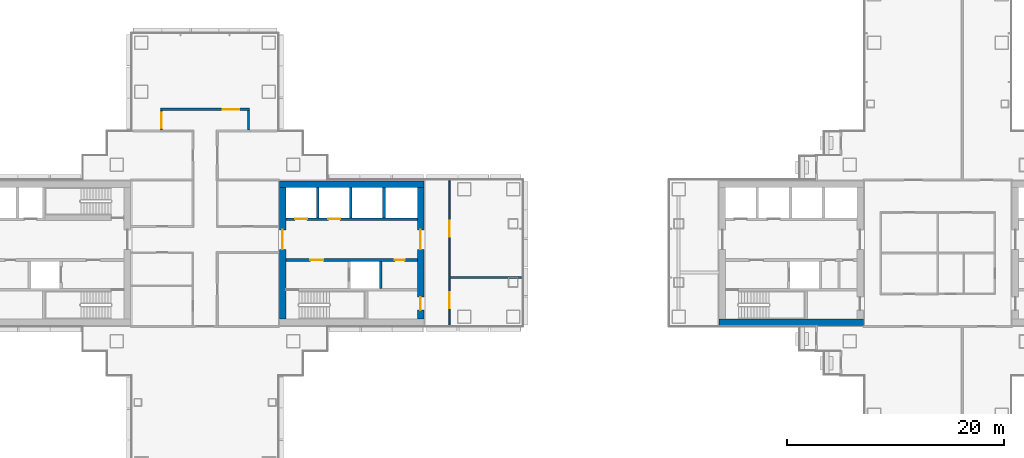
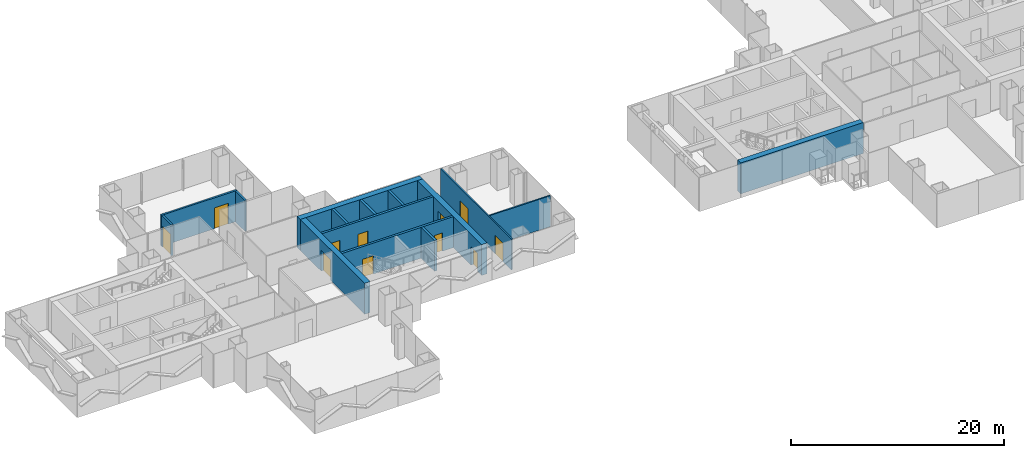
# One storey, part 12 of 19: 15 walls, 11 doors, 11 openings.
"""IFC4 building model written with IfcOpenShell, lengths in metres."""

from ifc_helpers import new_model, si_unit, direction, frame, frame_2d, origin, place, context, subcontext, project, spatial, rectangle, extrude, material, layer, layer_set, type_object, element, fill, save


model = new_model("IFC4")

# Units and contexts
model_context = context("Model", 3, precision=1e-05, world=origin(), true_north=direction((0.0, 1.0)))
body_context = subcontext(model_context, "Body", "Model", "MODEL_VIEW")
ifc_project = project(units=[si_unit("LENGTHUNIT", "METRE"), si_unit("AREAUNIT", "SQUARE_METRE"), si_unit("VOLUMEUNIT", "CUBIC_METRE"), si_unit("PLANEANGLEUNIT", "RADIAN"), si_unit("MASSUNIT", "GRAM", prefix="KILO")], contexts=[model_context])

# Site, building, storey
site_placement = place(None, origin())
site = spatial("IfcSite", under=ifc_project, at=site_placement, CompositionType="ELEMENT")
building_placement = place(site_placement, origin())
building = spatial("IfcBuilding", under=site, at=building_placement, Name="Shamsa Quay Exchange Towers", CompositionType="ELEMENT")
storey_placement = place(building_placement, frame((0.0, 0.0, 93.60009765625)))
storey = spatial("IfcBuildingStorey", under=building, at=storey_placement, Name="L21", CompositionType="ELEMENT", Elevation=93.60009765625)

# Wall, opening, door
ifc_material_1 = material(Name="Double-leaf gypsum board partition with acoustic insulation")
ifc_layer_1 = layer(ifc_material_1, 0.199951171875)
ifc_layer_set_1 = layer_set([ifc_layer_1], Name="Acoustic partition 200 mm EI 60")
wall_type_1 = type_object("IfcWallType", Name="Acoustic partition 200 mm EI 60", PredefinedType="PARTITIONING", material=ifc_layer_set_1)
wall_1_placement = place(storey_placement, frame((-37.75, 13.14990234375, 0.0), z_axis=(0.0, 0.0, 1.0), x_axis=(0.0, -1.0, 0.0)))
wall_1 = element("IfcWall", 1, at=wall_1_placement, inside=storey, type_object=wall_type_1, Name="Partition T1-R09-W13", PredefinedType="PARTITIONING", context=body_context, shape_type="SweptSolid", body=[
    extrude(rectangle(XDim=1.7998046875, YDim=0.199951171875, at=frame_2d((0.89990234375, 0.0))), origin(), (0.0, 0.0, 1.0), 3.5498046875),
])
opening_1_placement = place(wall_1_placement, frame((0.14990234375, 0.0, 0.0)))
opening_1 = element("IfcOpeningElement", 2, at=opening_1_placement, cuts=wall_1, Name="Opening T1-R09-D02", PredefinedType="OPENING", context=body_context, shape_type="SweptSolid", body=[
    extrude(rectangle(XDim=1.5, YDim=2.39990234375, at=frame_2d((0.75, 1.199951171875))), frame((0.0, 0.10986328125, 0.0), z_axis=(0.0, -1.0, 0.0), x_axis=(1.0, 0.0, 0.0)), (0.0, 0.0, 1.0), 0.219970703125),
])
ifc_material_2 = material(Name="Timber door leaf in a metal frame", Category="wood")
door_type_1 = type_object("IfcDoorType", Name="Door 1500x2400 FD30S pair", OperationType="NOTDEFINED", PredefinedType="DOOR", material=ifc_material_2)
door_1_placement = place(opening_1_placement, origin())
door_1 = element("IfcDoor", 3, at=door_1_placement, inside=storey, type_object=door_type_1, Name="Door T1-R09-D02", OperationType="DOUBLE_DOOR_SINGLE_SWING", OverallHeight=2.39990234375, OverallWidth=1.5, PredefinedType="DOOR", context=body_context, shape_type="SweptSolid", body=[
    extrude(rectangle(XDim=1.5, YDim=2.39990234375, at=frame_2d((0.75, 1.199951171875))), frame((0.0, 0.02490234375, 0.0), z_axis=(0.0, -1.0, 0.0), x_axis=(1.0, 0.0, 0.0)), (0.0, 0.0, 1.0), 0.050048828125),
])
fill(opening_1, door_1)

wall_2_placement = place(storey_placement, frame((-29.64990234375, 13.25, 0.0), z_axis=(0.0, 0.0, 1.0), x_axis=(-1.0, 0.0, 0.0)))
wall_2 = element("IfcWall", 4, at=wall_2_placement, inside=storey, type_object=wall_type_1, Name="Partition T1-R09-W14", PredefinedType="PARTITIONING", context=body_context, shape_type="SweptSolid", body=[
    extrude(rectangle(XDim=8.2001953125, YDim=0.199951171875, at=frame_2d((4.10009765625, 0.0))), origin(), (0.0, 0.0, 1.0), 3.5498046875),
])
opening_2_placement = place(wall_2_placement, frame((0.949951171875, 0.0, 0.0)))
opening_2 = element("IfcOpeningElement", 5, at=opening_2_placement, cuts=wall_2, Name="Opening T1-R09-D10", PredefinedType="OPENING", context=body_context, shape_type="SweptSolid", body=[
    extrude(rectangle(XDim=1.5, YDim=2.39990234375, at=frame_2d((0.75, 1.199951171875))), frame((0.0, 0.10986328125, 0.0), z_axis=(0.0, -1.0, 0.0), x_axis=(1.0, 0.0, 0.0)), (0.0, 0.0, 1.0), 0.219970703125),
])
door_2_placement = place(opening_2_placement, origin())
door_2 = element("IfcDoor", 6, at=door_2_placement, inside=storey, type_object=door_type_1, Name="Door T1-R09-D10", OperationType="DOUBLE_DOOR_SINGLE_SWING", OverallHeight=2.39990234375, OverallWidth=1.5, PredefinedType="DOOR", context=body_context, shape_type="SweptSolid", body=[
    extrude(rectangle(XDim=1.5, YDim=2.39990234375, at=frame_2d((0.75, 1.199951171875))), frame((0.0, 0.02490234375, 0.0), z_axis=(0.0, -1.0, 0.0), x_axis=(1.0, 0.0, 0.0)), (0.0, 0.0, 1.0), 0.050048828125),
])
fill(opening_2, door_2)

# Walls
wall_3_placement = place(storey_placement, frame((-29.75, 11.35009765625, 0.0), z_axis=(0.0, 0.0, 1.0), x_axis=(0.0, 1.0, 0.0)))
element("IfcWall", 7, at=wall_3_placement, inside=storey, type_object=wall_type_1, Name="Partition T1-R09-W15", PredefinedType="PARTITIONING", context=body_context, shape_type="SweptSolid", body=[
    extrude(rectangle(XDim=1.7998046875, YDim=0.199951171875, at=frame_2d((0.89990234375, 0.0))), origin(), (0.0, 0.0, 1.0), 3.5498046875),
])
ifc_material_3 = material(Name="Concrete C70/85", Category="concrete")
ifc_layer_2 = layer(ifc_material_3, 0.60009765625)
ifc_layer_set_2 = layer_set([ifc_layer_2], Name="CORE WALL 600 C70/85")
wall_type_2 = type_object("IfcWallType", Name="CORE WALL 600 C70/85", PredefinedType="SHEAR", material=ifc_layer_set_2)
wall_4_placement = place(storey_placement, frame((-26.89990234375, 6.35009765625, 0.0)))
element("IfcWall", 8, at=wall_4_placement, inside=storey, type_object=wall_type_2, Name="Core wall T1A-R09-PN", PredefinedType="SHEAR", context=body_context, shape_type="SweptSolid", body=[
    extrude(rectangle(XDim=13.2998046875, YDim=0.60009765625, at=frame_2d((6.64990234375, 0.0))), origin(), (0.0, 0.0, 1.0), 3.5498046875),
])

# Wall, opening, door
wall_5_placement = place(storey_placement, frame((-26.60009765625, 6.050048828125, 0.0), z_axis=(0.0, 0.0, 1.0), x_axis=(0.0, -1.0, 0.0)))
wall_5 = element("IfcWall", 9, at=wall_5_placement, inside=storey, type_object=wall_type_2, Name="Core wall T1A-R09-PF", PredefinedType="SHEAR", context=body_context, shape_type="SweptSolid", body=[
    extrude(rectangle(XDim=12.10009765625, YDim=0.60009765625, at=frame_2d((6.050048828125, 0.0))), origin(), (0.0, 0.0, 1.0), 3.5498046875),
])
opening_3_placement = place(wall_5_placement, frame((3.89990234375, 0.0, 0.0)))
opening_3 = element("IfcOpeningElement", 10, at=opening_3_placement, cuts=wall_5, Name="Opening T1A-R09-LBD01", PredefinedType="OPENING", context=body_context, shape_type="SweptSolid", body=[
    extrude(rectangle(XDim=1.800048828125, YDim=2.39990234375, at=frame_2d((0.89990234375, 1.199951171875))), frame((0.0, 0.31005859375, 0.0), z_axis=(0.0, -1.0, 0.0), x_axis=(1.0, 0.0, 0.0)), (0.0, 0.0, 1.0), 0.6201171875),
])
ifc_material_4 = material(Name="Steel, fire rated", Category="steel")
door_type_2 = type_object("IfcDoorType", Name="LIFT LOBBY DOOR PAIR 1800", OperationType="DOUBLE_DOOR_SINGLE_SWING", PredefinedType="DOOR", material=ifc_material_4)
door_3_placement = place(opening_3_placement, origin())
door_3 = element("IfcDoor", 11, at=door_3_placement, inside=storey, type_object=door_type_2, Name="T1A-R09-LBD01", OperationType="DOUBLE_DOOR_SINGLE_SWING", OverallHeight=2.39990234375, OverallWidth=1.800048828125, PredefinedType="DOOR", context=body_context, shape_type="SweptSolid", body=[
    extrude(rectangle(XDim=1.800048828125, YDim=2.39990234375, at=frame_2d((0.89990234375, 1.199951171875))), frame((0.0, 0.02490234375, 0.0), z_axis=(0.0, -1.0, 0.0), x_axis=(1.0, 0.0, 0.0)), (0.0, 0.0, 1.0), 0.050048828125),
])
fill(opening_3, door_3)

# Wall, openings, doors
wall_6_placement = place(storey_placement, frame((-13.89990234375, 6.050048828125, 0.0), z_axis=(0.0, 0.0, 1.0), x_axis=(0.0, -1.0, 0.0)))
wall_6 = element("IfcWall", 12, at=wall_6_placement, inside=storey, type_object=wall_type_2, Name="Core wall T1A-R09-PB", PredefinedType="SHEAR", context=body_context, shape_type="SweptSolid", body=[
    extrude(rectangle(XDim=12.10009765625, YDim=0.60009765625, at=frame_2d((6.050048828125, 0.0))), origin(), (0.0, 0.0, 1.0), 3.5498046875),
])
opening_4_placement = place(wall_6_placement, frame((10.10009765625, 0.0, 0.0)))
opening_4 = element("IfcOpeningElement", 13, at=opening_4_placement, cuts=wall_6, Name="Opening T1A-R09-RD02", PredefinedType="OPENING", context=body_context, shape_type="SweptSolid", body=[
    extrude(rectangle(XDim=1.199951171875, YDim=2.10009765625, at=frame_2d((0.60009765625, 1.050048828125))), frame((0.0, 0.31005859375, 0.0), z_axis=(0.0, -1.0, 0.0), x_axis=(1.0, 0.0, 0.0)), (0.0, 0.0, 1.0), 0.6201171875),
])
opening_5_placement = place(wall_6_placement, frame((3.89990234375, 0.0, 0.0)))
opening_5 = element("IfcOpeningElement", 14, at=opening_5_placement, cuts=wall_6, Name="Opening T1A-R09-LBD03", PredefinedType="OPENING", context=body_context, shape_type="SweptSolid", body=[
    extrude(rectangle(XDim=1.800048828125, YDim=2.39990234375, at=frame_2d((0.89990234375, 1.199951171875))), frame((0.0, 0.31005859375, 0.0), z_axis=(0.0, -1.0, 0.0), x_axis=(1.0, 0.0, 0.0)), (0.0, 0.0, 1.0), 0.6201171875),
])
door_4_placement = place(opening_5_placement, origin())
door_4 = element("IfcDoor", 15, at=door_4_placement, inside=storey, type_object=door_type_2, Name="T1A-R09-LBD03", OperationType="DOUBLE_DOOR_SINGLE_SWING", OverallHeight=2.39990234375, OverallWidth=1.800048828125, PredefinedType="DOOR", context=body_context, shape_type="SweptSolid", body=[
    extrude(rectangle(XDim=1.800048828125, YDim=2.39990234375, at=frame_2d((0.89990234375, 1.199951171875))), frame((0.0, 0.02490234375, 0.0), z_axis=(0.0, -1.0, 0.0), x_axis=(1.0, 0.0, 0.0)), (0.0, 0.0, 1.0), 0.050048828125),
])
fill(opening_5, door_4)
door_type_3 = type_object("IfcDoorType", Name="RISER ACCESS DOOR 1200", OperationType="SINGLE_SWING_LEFT", PredefinedType="DOOR", material=ifc_material_4)
door_5_placement = place(opening_4_placement, origin())
door_5 = element("IfcDoor", 16, at=door_5_placement, inside=storey, type_object=door_type_3, Name="T1A-R09-RD02", OperationType="SINGLE_SWING_RIGHT", OverallHeight=2.10009765625, OverallWidth=1.199951171875, PredefinedType="DOOR", context=body_context, shape_type="SweptSolid", body=[
    extrude(rectangle(XDim=1.199951171875, YDim=2.10009765625, at=frame_2d((0.60009765625, 1.050048828125))), frame((0.0, 0.02490234375, 0.0), z_axis=(0.0, -1.0, 0.0), x_axis=(1.0, 0.0, 0.0)), (0.0, 0.0, 1.0), 0.050048828125),
])
fill(opening_4, door_5)

# Wall
wall_7_placement = place(storey_placement, frame((13.60009765625, -6.35009765625, 0.0)))
element("IfcWall", 17, at=wall_7_placement, inside=storey, type_object=wall_type_2, Name="Core wall T2A-R09-PS", PredefinedType="SHEAR", context=body_context, shape_type="SweptSolid", body=[
    extrude(rectangle(XDim=13.2998046875, YDim=0.60009765625, at=frame_2d((6.64990234375, 0.0))), origin(), (0.0, 0.0, 1.0), 3.5498046875),
])

# Wall, openings, doors
ifc_material_5 = material(Name="Gypsum board partition on metal studs")
ifc_layer_3 = layer(ifc_material_5, 0.14990234375)
ifc_layer_set_3 = layer_set([ifc_layer_3], Name="Partition 150 mm EI 60")
wall_type_3 = type_object("IfcWallType", Name="Partition 150 mm EI 60", PredefinedType="PARTITIONING", material=ifc_layer_set_3)
wall_8_placement = place(storey_placement, frame((-11.25, 6.655029296875, 0.0), z_axis=(0.0, 0.0, 1.0), x_axis=(0.0, -1.0, 0.0)))
wall_8 = element("IfcWall", 18, at=wall_8_placement, inside=storey, type_object=wall_type_3, Name="Partition T1-R09-W17", PredefinedType="PARTITIONING", context=body_context, shape_type="SweptSolid", body=[
    extrude(rectangle(XDim=13.31005859375, YDim=0.14990234375, at=frame_2d((6.655029296875, 0.0))), origin(), (0.0, 0.0, 1.0), 3.5498046875),
])
opening_6_placement = place(wall_8_placement, frame((3.655029296875, 0.0, 0.0)))
opening_6 = element("IfcOpeningElement", 19, at=opening_6_placement, cuts=wall_8, Name="Opening T1-R09-D11", PredefinedType="OPENING", context=body_context, shape_type="SweptSolid", body=[
    extrude(rectangle(XDim=1.5, YDim=2.10009765625, at=frame_2d((0.75, 1.050048828125))), frame((0.0, 0.0849609375, 0.0), z_axis=(0.0, -1.0, 0.0), x_axis=(1.0, 0.0, 0.0)), (0.0, 0.0, 1.0), 0.169921875),
])
opening_7_placement = place(wall_8_placement, frame((10.2548828125, 0.0, 0.0)))
opening_7 = element("IfcOpeningElement", 20, at=opening_7_placement, cuts=wall_8, Name="Opening T1-R09-D12", PredefinedType="OPENING", context=body_context, shape_type="SweptSolid", body=[
    extrude(rectangle(XDim=1.5, YDim=2.10009765625, at=frame_2d((0.75, 1.050048828125))), frame((0.0, 0.0849609375, 0.0), z_axis=(0.0, -1.0, 0.0), x_axis=(1.0, 0.0, 0.0)), (0.0, 0.0, 1.0), 0.169921875),
])
door_type_4 = type_object("IfcDoorType", Name="Door 1500x2100 FD30S pair", OperationType="NOTDEFINED", PredefinedType="DOOR", material=ifc_material_2)
door_6_placement = place(opening_6_placement, origin())
door_6 = element("IfcDoor", 21, at=door_6_placement, inside=storey, type_object=door_type_4, Name="Door T1-R09-D11", OperationType="DOUBLE_DOOR_SINGLE_SWING", OverallHeight=2.10009765625, OverallWidth=1.5, PredefinedType="DOOR", context=body_context, shape_type="SweptSolid", body=[
    extrude(rectangle(XDim=1.5, YDim=2.10009765625, at=frame_2d((0.75, 1.050048828125))), frame((0.0, 0.02490234375, 0.0), z_axis=(0.0, -1.0, 0.0), x_axis=(1.0, 0.0, 0.0)), (0.0, 0.0, 1.0), 0.050048828125),
])
fill(opening_6, door_6)
door_7_placement = place(opening_7_placement, origin())
door_7 = element("IfcDoor", 22, at=door_7_placement, inside=storey, type_object=door_type_4, Name="Door T1-R09-D12", OperationType="DOUBLE_DOOR_SINGLE_SWING", OverallHeight=2.10009765625, OverallWidth=1.5, PredefinedType="DOOR", context=body_context, shape_type="SweptSolid", body=[
    extrude(rectangle(XDim=1.5, YDim=2.10009765625, at=frame_2d((0.75, 1.050048828125))), frame((0.0, 0.02490234375, 0.0), z_axis=(0.0, -1.0, 0.0), x_axis=(1.0, 0.0, 0.0)), (0.0, 0.0, 1.0), 0.050048828125),
])
fill(opening_7, door_7)

# Wall
wall_9_placement = place(storey_placement, frame((-4.594970703125, -2.25, 0.0), z_axis=(0.0, 0.0, 1.0), x_axis=(-1.0, 0.0, 0.0)))
element("IfcWall", 23, at=wall_9_placement, inside=storey, type_object=wall_type_3, Name="Partition T1-R09-W25", PredefinedType="PARTITIONING", context=body_context, shape_type="SweptSolid", body=[
    extrude(rectangle(XDim=6.580078125, YDim=0.14990234375, at=frame_2d((3.2900390625, 0.0))), origin(), (0.0, 0.0, 1.0), 3.5498046875),
])

# Wall, openings, doors
ifc_material_6 = material(Name="Concrete C50/60", Category="concrete")
ifc_layer_4 = layer(ifc_material_6, 0.25)
ifc_layer_set_4 = layer_set([ifc_layer_4], Name="SHAFT WALL 250 C50/60")
wall_type_4 = type_object("IfcWallType", Name="SHAFT WALL 250 C50/60", PredefinedType="SHEAR", material=ifc_layer_set_4)
wall_10_placement = place(storey_placement, frame((-14.199951171875, -0.625, 0.0), z_axis=(0.0, 0.0, 1.0), x_axis=(-1.0, 0.0, 0.0)))
wall_10 = element("IfcWall", 24, at=wall_10_placement, inside=storey, type_object=wall_type_4, Name="Shaft wall T1A-R09-B", PredefinedType="SHEAR", context=body_context, shape_type="SweptSolid", body=[
    extrude(rectangle(XDim=12.10009765625, YDim=0.25, at=frame_2d((6.050048828125, 0.0))), origin(), (0.0, 0.0, 1.0), 3.5498046875),
])
opening_8_placement = place(wall_10_placement, frame((8.64990234375, 0.0, 0.0)))
opening_8 = element("IfcOpeningElement", 25, at=opening_8_placement, cuts=wall_10, Name="Opening T1A-R09-FD05", PredefinedType="OPENING", context=body_context, shape_type="SweptSolid", body=[
    extrude(rectangle(XDim=1.199951171875, YDim=2.10009765625, at=frame_2d((0.60009765625, 1.050048828125))), frame((0.0, 0.135009765625, 0.0), z_axis=(0.0, -1.0, 0.0), x_axis=(1.0, 0.0, 0.0)), (0.0, 0.0, 1.0), 0.27001953125),
])
opening_9_placement = place(wall_10_placement, frame((1.175048828125, 0.0, 0.0)))
opening_9 = element("IfcOpeningElement", 26, at=opening_9_placement, cuts=wall_10, Name="Opening T1A-R09-SV06", PredefinedType="OPENING", context=body_context, shape_type="SweptSolid", body=[
    extrude(rectangle(XDim=0.89990234375, YDim=2.10009765625, at=frame_2d((0.449951171875, 1.050048828125))), frame((0.0, 0.135009765625, 0.0), z_axis=(0.0, -1.0, 0.0), x_axis=(1.0, 0.0, 0.0)), (0.0, 0.0, 1.0), 0.27001953125),
])
door_type_5 = type_object("IfcDoorType", Name="FIRE SERVICE LOBBY DOOR 1200", OperationType="SINGLE_SWING_LEFT", PredefinedType="DOOR", material=ifc_material_4)
door_8_placement = place(opening_8_placement, origin())
door_8 = element("IfcDoor", 27, at=door_8_placement, inside=storey, type_object=door_type_5, Name="T1A-R09-FD05", OperationType="SINGLE_SWING_RIGHT", OverallHeight=2.10009765625, OverallWidth=1.199951171875, PredefinedType="DOOR", context=body_context, shape_type="SweptSolid", body=[
    extrude(rectangle(XDim=1.199951171875, YDim=2.10009765625, at=frame_2d((0.60009765625, 1.050048828125))), frame((0.0, 0.02490234375, 0.0), z_axis=(0.0, -1.0, 0.0), x_axis=(1.0, 0.0, 0.0)), (0.0, 0.0, 1.0), 0.050048828125),
])
fill(opening_8, door_8)
door_type_6 = type_object("IfcDoorType", Name="SERVICE ROOM DOOR 900", OperationType="SINGLE_SWING_LEFT", PredefinedType="DOOR", material=ifc_material_4)
door_9_placement = place(opening_9_placement, origin())
door_9 = element("IfcDoor", 28, at=door_9_placement, inside=storey, type_object=door_type_6, Name="T1A-R09-SV06", OperationType="SINGLE_SWING_LEFT", OverallHeight=2.10009765625, OverallWidth=0.89990234375, PredefinedType="DOOR", context=body_context, shape_type="SweptSolid", body=[
    extrude(rectangle(XDim=0.89990234375, YDim=2.10009765625, at=frame_2d((0.449951171875, 1.050048828125))), frame((0.0, 0.02490234375, 0.0), z_axis=(0.0, -1.0, 0.0), x_axis=(1.0, 0.0, 0.0)), (0.0, 0.0, 1.0), 0.050048828125),
])
fill(opening_9, door_9)

# Wall
wall_11_placement = place(storey_placement, frame((-17.574951171875, -3.25, 0.0), z_axis=(0.0, 0.0, 1.0), x_axis=(0.0, 1.0, 0.0)))
element("IfcWall", 29, at=wall_11_placement, inside=storey, type_object=wall_type_4, Name="Shaft wall T1A-R09-FFB", PredefinedType="SHEAR", context=body_context, shape_type="SweptSolid", body=[
    extrude(rectangle(XDim=2.5, YDim=0.25, at=frame_2d((1.25, 0.0))), origin(), (0.0, 0.0, 1.0), 3.5498046875),
])

# Wall, openings, doors
wall_12_placement = place(storey_placement, frame((-26.300048828125, 3.125, 0.0)))
wall_12 = element("IfcWall", 30, at=wall_12_placement, inside=storey, type_object=wall_type_4, Name="Shaft wall T1A-R09-N", PredefinedType="SHEAR", context=body_context, shape_type="SweptSolid", body=[
    extrude(rectangle(XDim=12.10009765625, YDim=0.25, at=frame_2d((6.050048828125, 0.0))), origin(), (0.0, 0.0, 1.0), 3.5498046875),
])
opening_10_placement = place(wall_12_placement, frame((0.85009765625, 0.0, 0.0)))
opening_10 = element("IfcOpeningElement", 31, at=opening_10_placement, cuts=wall_12, Name="Opening T1A-R09-LD08", PredefinedType="OPENING", context=body_context, shape_type="SweptSolid", body=[
    extrude(rectangle(XDim=1.10009765625, YDim=2.10009765625, at=frame_2d((0.550048828125, 1.050048828125))), frame((0.0, 0.135009765625, 0.0), z_axis=(0.0, -1.0, 0.0), x_axis=(1.0, 0.0, 0.0)), (0.0, 0.0, 1.0), 0.27001953125),
])
opening_11_placement = place(wall_12_placement, frame((3.89990234375, 0.0, 0.0)))
opening_11 = element("IfcOpeningElement", 32, at=opening_11_placement, cuts=wall_12, Name="Opening T1A-R09-LD09", PredefinedType="OPENING", context=body_context, shape_type="SweptSolid", body=[
    extrude(rectangle(XDim=1.10009765625, YDim=2.10009765625, at=frame_2d((0.550048828125, 1.050048828125))), frame((0.0, 0.135009765625, 0.0), z_axis=(0.0, -1.0, 0.0), x_axis=(1.0, 0.0, 0.0)), (0.0, 0.0, 1.0), 0.27001953125),
])
door_type_7 = type_object("IfcDoorType", Name="LANDING DOOR 1100", OperationType="SLIDING_TO_LEFT", PredefinedType="DOOR", material=ifc_material_4)
door_10_placement = place(opening_10_placement, origin())
door_10 = element("IfcDoor", 33, at=door_10_placement, inside=storey, type_object=door_type_7, Name="T1A-R09-LD08", OperationType="SLIDING_TO_LEFT", OverallHeight=2.10009765625, OverallWidth=1.10009765625, PredefinedType="DOOR", context=body_context, shape_type="SweptSolid", body=[
    extrude(rectangle(XDim=1.10009765625, YDim=2.10009765625, at=frame_2d((0.550048828125, 1.050048828125))), frame((0.0, 0.02490234375, 0.0), z_axis=(0.0, -1.0, 0.0), x_axis=(1.0, 0.0, 0.0)), (0.0, 0.0, 1.0), 0.050048828125),
])
fill(opening_10, door_10)
door_11_placement = place(opening_11_placement, origin())
door_11 = element("IfcDoor", 34, at=door_11_placement, inside=storey, type_object=door_type_7, Name="T1A-R09-LD09", OperationType="SLIDING_TO_LEFT", OverallHeight=2.10009765625, OverallWidth=1.10009765625, PredefinedType="DOOR", context=body_context, shape_type="SweptSolid", body=[
    extrude(rectangle(XDim=1.10009765625, YDim=2.10009765625, at=frame_2d((0.550048828125, 1.050048828125))), frame((0.0, 0.02490234375, 0.0), z_axis=(0.0, -1.0, 0.0), x_axis=(1.0, 0.0, 0.0)), (0.0, 0.0, 1.0), 0.050048828125),
])
fill(opening_11, door_11)

# Walls
for number, where, z_axis, x_axis, name in (
    (35, (-23.375, 3.25, 0.0), (0.0, 0.0, 1.0), (0.0, 1.0, 0.0), "Shaft wall T1A-R09-D0"),
    (36, (-20.324951171875, 3.25, 0.0), (0.0, 0.0, 1.0), (0.0, 1.0, 0.0), "Shaft wall T1A-R09-D1"),
    (37, (-17.27490234375, 3.25, 0.0), (0.0, 0.0, 1.0), (0.0, 1.0, 0.0), "Shaft wall T1A-R09-D2"),
):
    element("IfcWall", number, at=place(storey_placement, frame(where, z_axis=z_axis, x_axis=x_axis)), inside=storey, type_object=wall_type_4, Name=name, PredefinedType="SHEAR", context=body_context, shape_type="SweptSolid", body=[
        extrude(rectangle(XDim=2.800048828125, YDim=0.25, at=frame_2d((1.39990234375, 0.0))), origin(), (0.0, 0.0, 1.0), 3.5498046875),
    ])

save(model, "model.ifc")
